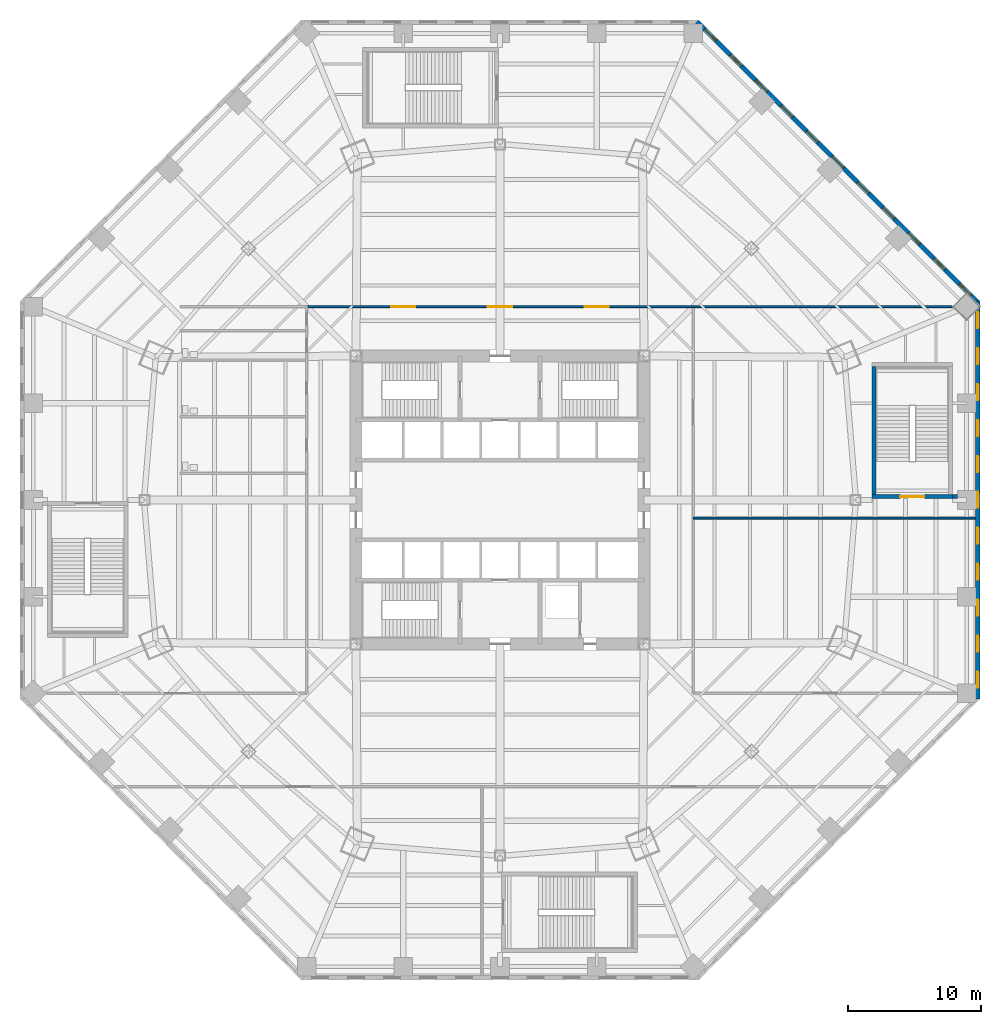
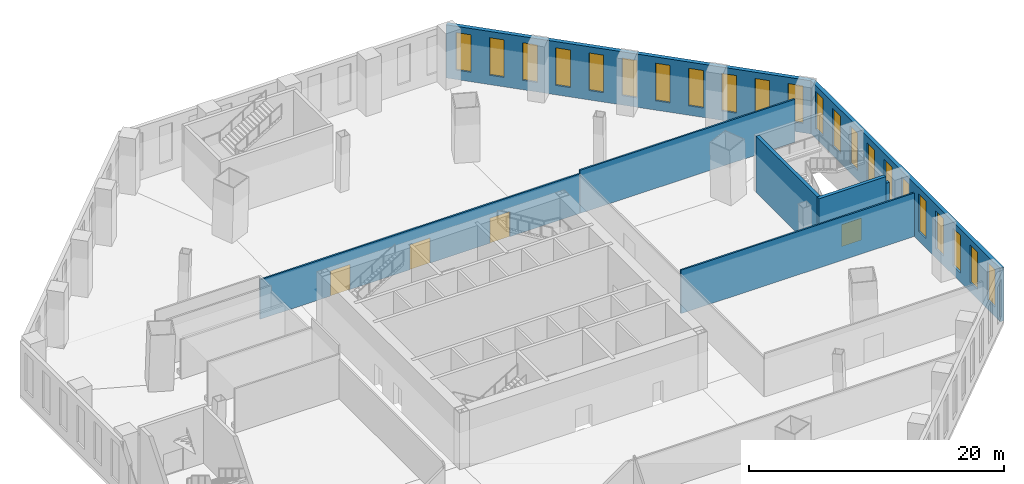
# One storey, part 12 of 18: 22 windows, 8 walls, 4 doors, 26 openings.
"""IFC4 building model written with IfcOpenShell, lengths in metres."""

from ifc_helpers import new_model, si_unit, direction, frame, frame_2d, origin, place, context, subcontext, project, spatial, rectangle, extrude, material, layer, layer_set, type_object, element, fill, save


model = new_model("IFC4")

# Units and contexts
model_context = context("Model", 3, precision=1e-05, world=origin(), true_north=direction((0.0, 1.0)))
body_context = subcontext(model_context, "Body", "Model", "MODEL_VIEW")
ifc_project = project(units=[si_unit("LENGTHUNIT", "METRE"), si_unit("AREAUNIT", "SQUARE_METRE"), si_unit("VOLUMEUNIT", "CUBIC_METRE"), si_unit("PLANEANGLEUNIT", "RADIAN"), si_unit("MASSUNIT", "GRAM", prefix="KILO")], contexts=[model_context])

# Site, building, storey
site_placement = place(None, origin())
site = spatial("IfcSite", under=ifc_project, at=site_placement, CompositionType="ELEMENT")
building_placement = place(site_placement, origin())
building = spatial("IfcBuilding", under=site, at=building_placement, Name="Mashrafa Tower", CompositionType="ELEMENT")
storey_placement = place(building_placement, frame((0.0, 0.0, 18.60009765625)))
storey = spatial("IfcBuildingStorey", under=building, at=storey_placement, Name="L03", CompositionType="ELEMENT", Elevation=18.60009765625)

# Wall, openings, doors
ifc_material_1 = material(Name="Gypsum board on steel studs", Category="steel")
ifc_layer_1 = layer(ifc_material_1, 0.14990234375)
ifc_layer_set_1 = layer_set([ifc_layer_1], Name="Corridor partition 150 1 hr")
wall_type_1 = type_object("IfcWallType", Name="Corridor partition 150 1 hr", PredefinedType="PARTITIONING", material=ifc_layer_set_1)
wall_1_placement = place(storey_placement, frame((-14.5009765625, 14.5, 0.0), z_axis=(0.0, 0.0, 1.0), x_axis=(1.0, 0.0, 0.0)))
wall_1 = element("IfcWall", 1, at=wall_1_placement, inside=storey, type_object=wall_type_1, Name="Corridor wall L03-013", PredefinedType="PARTITIONING", context=body_context, shape_type="SweptSolid", body=[
    extrude(rectangle(XDim=29.001953125, YDim=0.14990234375, at=frame_2d((14.5009765625, 0.0))), origin(), (0.0, 0.0, 1.0), 3.789794921875),
])
opening_1_placement = place(wall_1_placement, frame((6.3505859375, 0.0, 0.0)))
opening_1 = element("IfcOpeningElement", 2, at=opening_1_placement, cuts=wall_1, Name="Opening 03.006", PredefinedType="OPENING", context=body_context, shape_type="SweptSolid", body=[
    extrude(rectangle(XDim=1.800048828125, YDim=2.39990234375, at=frame_2d((0.89990234375, 1.199951171875))), frame((0.0, 0.0849609375, 0.0), z_axis=(0.0, -1.0, 0.0), x_axis=(1.0, 0.0, 0.0)), (0.0, 0.0, 1.0), 0.169921875),
])
opening_2_placement = place(wall_1_placement, frame((13.60107421875, 0.0, 0.0)))
opening_2 = element("IfcOpeningElement", 3, at=opening_2_placement, cuts=wall_1, Name="Opening 03.007", PredefinedType="OPENING", context=body_context, shape_type="SweptSolid", body=[
    extrude(rectangle(XDim=1.800048828125, YDim=2.39990234375, at=frame_2d((0.89990234375, 1.199951171875))), frame((0.0, 0.0849609375, 0.0), z_axis=(0.0, -1.0, 0.0), x_axis=(1.0, 0.0, 0.0)), (0.0, 0.0, 1.0), 0.169921875),
])
opening_3_placement = place(wall_1_placement, frame((20.8515625, 0.0, 0.0)))
opening_3 = element("IfcOpeningElement", 4, at=opening_3_placement, cuts=wall_1, Name="Opening 03.008", PredefinedType="OPENING", context=body_context, shape_type="SweptSolid", body=[
    extrude(rectangle(XDim=1.800048828125, YDim=2.39990234375, at=frame_2d((0.89990234375, 1.199951171875))), frame((0.0, 0.0849609375, 0.0), z_axis=(0.0, -1.0, 0.0), x_axis=(1.0, 0.0, 0.0)), (0.0, 0.0, 1.0), 0.169921875),
])
ifc_material_2 = material(Name="Timber door", Category="wood")
door_type_1 = type_object("IfcDoorType", Name="Door pair 1800 x 2400", OperationType="DOUBLE_DOOR_SINGLE_SWING", PredefinedType="DOOR", material=ifc_material_2)
door_1_placement = place(opening_1_placement, origin())
door_1 = element("IfcDoor", 5, at=door_1_placement, inside=storey, type_object=door_type_1, Name="Food Hall L03 door", OperationType="DOUBLE_DOOR_SINGLE_SWING", OverallHeight=2.39990234375, OverallWidth=1.800048828125, PredefinedType="DOOR", context=body_context, shape_type="SweptSolid", body=[
    extrude(rectangle(XDim=1.800048828125, YDim=2.39990234375, at=frame_2d((0.89990234375, 1.199951171875))), frame((0.0, 0.02490234375, 0.0), z_axis=(0.0, -1.0, 0.0), x_axis=(1.0, 0.0, 0.0)), (0.0, 0.0, 1.0), 0.050048828125),
])
fill(opening_1, door_1)
door_2_placement = place(opening_2_placement, origin())
door_2 = element("IfcDoor", 6, at=door_2_placement, inside=storey, type_object=door_type_1, Name="Food Hall L03 door", OperationType="DOUBLE_DOOR_SINGLE_SWING", OverallHeight=2.39990234375, OverallWidth=1.800048828125, PredefinedType="DOOR", context=body_context, shape_type="SweptSolid", body=[
    extrude(rectangle(XDim=1.800048828125, YDim=2.39990234375, at=frame_2d((0.89990234375, 1.199951171875))), frame((0.0, 0.02490234375, 0.0), z_axis=(0.0, -1.0, 0.0), x_axis=(1.0, 0.0, 0.0)), (0.0, 0.0, 1.0), 0.050048828125),
])
fill(opening_2, door_2)
door_3_placement = place(opening_3_placement, origin())
door_3 = element("IfcDoor", 7, at=door_3_placement, inside=storey, type_object=door_type_1, Name="Food Hall L03 door", OperationType="DOUBLE_DOOR_SINGLE_SWING", OverallHeight=2.39990234375, OverallWidth=1.800048828125, PredefinedType="DOOR", context=body_context, shape_type="SweptSolid", body=[
    extrude(rectangle(XDim=1.800048828125, YDim=2.39990234375, at=frame_2d((0.89990234375, 1.199951171875))), frame((0.0, 0.02490234375, 0.0), z_axis=(0.0, -1.0, 0.0), x_axis=(1.0, 0.0, 0.0)), (0.0, 0.0, 1.0), 0.050048828125),
])
fill(opening_3, door_3)

# Wall, openings, windows
ifc_material_3 = material(Name="Riyadh limestone cladding on blockwork", Category="masonry")
ifc_layer_2 = layer(ifc_material_3, 0.35009765625)
ifc_layer_set_2 = layer_set([ifc_layer_2], Name="Limestone-clad external wall 350")
wall_type_2 = type_object("IfcWallType", Name="Limestone-clad external wall 350", PredefinedType="SOLIDWALL", material=ifc_layer_set_2)
wall_2_placement = place(storey_placement, frame((35.824951171875, -14.91162109375, 0.0), z_axis=(0.0, 0.0, 1.0), x_axis=(0.0, 1.0, 0.0)))
wall_2 = element("IfcWall", 8, at=wall_2_placement, inside=storey, type_object=wall_type_2, Name="Limestone-clad external wall L03 east", PredefinedType="SOLIDWALL", context=body_context, shape_type="SweptSolid", body=[
    extrude(rectangle(XDim=29.8232421875, YDim=0.35009765625, at=frame_2d((14.91162109375, 0.0))), origin(), (0.0, 0.0, 1.0), 5.099853515625),
])
opening_4_placement = place(wall_2_placement, frame((0.821533203125, 0.0, 0.89990234375)))
opening_4 = element("IfcOpeningElement", 9, at=opening_4_placement, cuts=wall_2, Name="Opening W2", PredefinedType="OPENING", context=body_context, shape_type="SweptSolid", body=[
    extrude(rectangle(XDim=1.199951171875, YDim=3.60009765625, at=frame_2d((0.60009765625, 1.800048828125))), frame((0.0, 0.18505859375, 0.0), z_axis=(0.0, -1.0, 0.0), x_axis=(1.0, 0.0, 0.0)), (0.0, 0.0, 1.0), 0.3701171875),
])
opening_5_placement = place(wall_2_placement, frame((3.51953125, 0.0, 0.89990234375)))
opening_5 = element("IfcOpeningElement", 10, at=opening_5_placement, cuts=wall_2, Name="Opening W2", PredefinedType="OPENING", context=body_context, shape_type="SweptSolid", body=[
    extrude(rectangle(XDim=1.199951171875, YDim=3.60009765625, at=frame_2d((0.60009765625, 1.800048828125))), frame((0.0, 0.18505859375, 0.0), z_axis=(0.0, -1.0, 0.0), x_axis=(1.0, 0.0, 0.0)), (0.0, 0.0, 1.0), 0.3701171875),
])
opening_6_placement = place(wall_2_placement, frame((6.217529296875, 0.0, 0.89990234375)))
opening_6 = element("IfcOpeningElement", 11, at=opening_6_placement, cuts=wall_2, Name="Opening W2", PredefinedType="OPENING", context=body_context, shape_type="SweptSolid", body=[
    extrude(rectangle(XDim=1.199951171875, YDim=3.60009765625, at=frame_2d((0.60009765625, 1.800048828125))), frame((0.0, 0.18505859375, 0.0), z_axis=(0.0, -1.0, 0.0), x_axis=(1.0, 0.0, 0.0)), (0.0, 0.0, 1.0), 0.3701171875),
])
opening_7_placement = place(wall_2_placement, frame((8.91552734375, 0.0, 0.89990234375)))
opening_7 = element("IfcOpeningElement", 12, at=opening_7_placement, cuts=wall_2, Name="Opening W2", PredefinedType="OPENING", context=body_context, shape_type="SweptSolid", body=[
    extrude(rectangle(XDim=1.199951171875, YDim=3.60009765625, at=frame_2d((0.60009765625, 1.800048828125))), frame((0.0, 0.18505859375, 0.0), z_axis=(0.0, -1.0, 0.0), x_axis=(1.0, 0.0, 0.0)), (0.0, 0.0, 1.0), 0.3701171875),
])
opening_8_placement = place(wall_2_placement, frame((11.61376953125, 0.0, 0.89990234375)))
opening_8 = element("IfcOpeningElement", 13, at=opening_8_placement, cuts=wall_2, Name="Opening W2", PredefinedType="OPENING", context=body_context, shape_type="SweptSolid", body=[
    extrude(rectangle(XDim=1.199951171875, YDim=3.60009765625, at=frame_2d((0.60009765625, 1.800048828125))), frame((0.0, 0.18505859375, 0.0), z_axis=(0.0, -1.0, 0.0), x_axis=(1.0, 0.0, 0.0)), (0.0, 0.0, 1.0), 0.3701171875),
])
opening_9_placement = place(wall_2_placement, frame((14.311767578125, 0.0, 0.89990234375)))
opening_9 = element("IfcOpeningElement", 14, at=opening_9_placement, cuts=wall_2, Name="Opening W2", PredefinedType="OPENING", context=body_context, shape_type="SweptSolid", body=[
    extrude(rectangle(XDim=1.199951171875, YDim=3.60009765625, at=frame_2d((0.60009765625, 1.800048828125))), frame((0.0, 0.18505859375, 0.0), z_axis=(0.0, -1.0, 0.0), x_axis=(1.0, 0.0, 0.0)), (0.0, 0.0, 1.0), 0.3701171875),
])
opening_10_placement = place(wall_2_placement, frame((17.009765625, 0.0, 0.89990234375)))
opening_10 = element("IfcOpeningElement", 15, at=opening_10_placement, cuts=wall_2, Name="Opening W2", PredefinedType="OPENING", context=body_context, shape_type="SweptSolid", body=[
    extrude(rectangle(XDim=1.199951171875, YDim=3.60009765625, at=frame_2d((0.60009765625, 1.800048828125))), frame((0.0, 0.18505859375, 0.0), z_axis=(0.0, -1.0, 0.0), x_axis=(1.0, 0.0, 0.0)), (0.0, 0.0, 1.0), 0.3701171875),
])
opening_11_placement = place(wall_2_placement, frame((19.707763671875, 0.0, 0.89990234375)))
opening_11 = element("IfcOpeningElement", 16, at=opening_11_placement, cuts=wall_2, Name="Opening W2", PredefinedType="OPENING", context=body_context, shape_type="SweptSolid", body=[
    extrude(rectangle(XDim=1.199951171875, YDim=3.60009765625, at=frame_2d((0.60009765625, 1.800048828125))), frame((0.0, 0.18505859375, 0.0), z_axis=(0.0, -1.0, 0.0), x_axis=(1.0, 0.0, 0.0)), (0.0, 0.0, 1.0), 0.3701171875),
])
opening_12_placement = place(wall_2_placement, frame((22.40576171875, 0.0, 0.89990234375)))
opening_12 = element("IfcOpeningElement", 17, at=opening_12_placement, cuts=wall_2, Name="Opening W2", PredefinedType="OPENING", context=body_context, shape_type="SweptSolid", body=[
    extrude(rectangle(XDim=1.199951171875, YDim=3.60009765625, at=frame_2d((0.60009765625, 1.800048828125))), frame((0.0, 0.18505859375, 0.0), z_axis=(0.0, -1.0, 0.0), x_axis=(1.0, 0.0, 0.0)), (0.0, 0.0, 1.0), 0.3701171875),
])
opening_13_placement = place(wall_2_placement, frame((25.103759765625, 0.0, 0.89990234375)))
opening_13 = element("IfcOpeningElement", 18, at=opening_13_placement, cuts=wall_2, Name="Opening W2", PredefinedType="OPENING", context=body_context, shape_type="SweptSolid", body=[
    extrude(rectangle(XDim=1.199951171875, YDim=3.60009765625, at=frame_2d((0.60009765625, 1.800048828125))), frame((0.0, 0.18505859375, 0.0), z_axis=(0.0, -1.0, 0.0), x_axis=(1.0, 0.0, 0.0)), (0.0, 0.0, 1.0), 0.3701171875),
])
opening_14_placement = place(wall_2_placement, frame((27.8017578125, 0.0, 0.89990234375)))
opening_14 = element("IfcOpeningElement", 19, at=opening_14_placement, cuts=wall_2, Name="Opening W2", PredefinedType="OPENING", context=body_context, shape_type="SweptSolid", body=[
    extrude(rectangle(XDim=1.199951171875, YDim=3.60009765625, at=frame_2d((0.60009765625, 1.800048828125))), frame((0.0, 0.18505859375, 0.0), z_axis=(0.0, -1.0, 0.0), x_axis=(1.0, 0.0, 0.0)), (0.0, 0.0, 1.0), 0.3701171875),
])
ifc_material_4 = material(Name="Bronze-framed insulated glazing", Category="glass")
window_type = type_object("IfcWindowType", Name="Tall punched window 1200 x 3600", PartitioningType="DOUBLE_PANEL_HORIZONTAL", PredefinedType="WINDOW", material=ifc_material_4)
window_1_placement = place(opening_4_placement, origin())
window_1 = element("IfcWindow", 20, at=window_1_placement, inside=storey, type_object=window_type, Name="Window W2 L03 east bay 1", OverallHeight=3.60009765625, OverallWidth=1.199951171875, PartitioningType="SINGLE_PANEL", PredefinedType="WINDOW", context=body_context, shape_type="SweptSolid", body=[
    extrude(rectangle(XDim=1.199951171875, YDim=3.60009765625, at=frame_2d((0.60009765625, 1.800048828125))), frame((0.0, 0.030029296875, 0.0), z_axis=(0.0, -1.0, 0.0), x_axis=(1.0, 0.0, 0.0)), (0.0, 0.0, 1.0), 0.06005859375),
])
fill(opening_4, window_1)
window_2_placement = place(opening_5_placement, origin())
window_2 = element("IfcWindow", 21, at=window_2_placement, inside=storey, type_object=window_type, Name="Window W2 L03 east bay 2", OverallHeight=3.60009765625, OverallWidth=1.199951171875, PartitioningType="SINGLE_PANEL", PredefinedType="WINDOW", context=body_context, shape_type="SweptSolid", body=[
    extrude(rectangle(XDim=1.199951171875, YDim=3.60009765625, at=frame_2d((0.60009765625, 1.800048828125))), frame((0.0, 0.030029296875, 0.0), z_axis=(0.0, -1.0, 0.0), x_axis=(1.0, 0.0, 0.0)), (0.0, 0.0, 1.0), 0.06005859375),
])
fill(opening_5, window_2)
window_3_placement = place(opening_6_placement, origin())
window_3 = element("IfcWindow", 22, at=window_3_placement, inside=storey, type_object=window_type, Name="Window W2 L03 east bay 3", OverallHeight=3.60009765625, OverallWidth=1.199951171875, PartitioningType="SINGLE_PANEL", PredefinedType="WINDOW", context=body_context, shape_type="SweptSolid", body=[
    extrude(rectangle(XDim=1.199951171875, YDim=3.60009765625, at=frame_2d((0.60009765625, 1.800048828125))), frame((0.0, 0.030029296875, 0.0), z_axis=(0.0, -1.0, 0.0), x_axis=(1.0, 0.0, 0.0)), (0.0, 0.0, 1.0), 0.06005859375),
])
fill(opening_6, window_3)
window_4_placement = place(opening_7_placement, origin())
window_4 = element("IfcWindow", 23, at=window_4_placement, inside=storey, type_object=window_type, Name="Window W2 L03 east bay 4", OverallHeight=3.60009765625, OverallWidth=1.199951171875, PartitioningType="SINGLE_PANEL", PredefinedType="WINDOW", context=body_context, shape_type="SweptSolid", body=[
    extrude(rectangle(XDim=1.199951171875, YDim=3.60009765625, at=frame_2d((0.60009765625, 1.800048828125))), frame((0.0, 0.030029296875, 0.0), z_axis=(0.0, -1.0, 0.0), x_axis=(1.0, 0.0, 0.0)), (0.0, 0.0, 1.0), 0.06005859375),
])
fill(opening_7, window_4)
window_5_placement = place(opening_8_placement, origin())
window_5 = element("IfcWindow", 24, at=window_5_placement, inside=storey, type_object=window_type, Name="Window W2 L03 east bay 5", OverallHeight=3.60009765625, OverallWidth=1.199951171875, PartitioningType="SINGLE_PANEL", PredefinedType="WINDOW", context=body_context, shape_type="SweptSolid", body=[
    extrude(rectangle(XDim=1.199951171875, YDim=3.60009765625, at=frame_2d((0.60009765625, 1.800048828125))), frame((0.0, 0.030029296875, 0.0), z_axis=(0.0, -1.0, 0.0), x_axis=(1.0, 0.0, 0.0)), (0.0, 0.0, 1.0), 0.06005859375),
])
fill(opening_8, window_5)
window_6_placement = place(opening_9_placement, origin())
window_6 = element("IfcWindow", 25, at=window_6_placement, inside=storey, type_object=window_type, Name="Window W2 L03 east bay 6", OverallHeight=3.60009765625, OverallWidth=1.199951171875, PartitioningType="SINGLE_PANEL", PredefinedType="WINDOW", context=body_context, shape_type="SweptSolid", body=[
    extrude(rectangle(XDim=1.199951171875, YDim=3.60009765625, at=frame_2d((0.60009765625, 1.800048828125))), frame((0.0, 0.030029296875, 0.0), z_axis=(0.0, -1.0, 0.0), x_axis=(1.0, 0.0, 0.0)), (0.0, 0.0, 1.0), 0.06005859375),
])
fill(opening_9, window_6)
window_7_placement = place(opening_10_placement, origin())
window_7 = element("IfcWindow", 26, at=window_7_placement, inside=storey, type_object=window_type, Name="Window W2 L03 east bay 7", OverallHeight=3.60009765625, OverallWidth=1.199951171875, PartitioningType="SINGLE_PANEL", PredefinedType="WINDOW", context=body_context, shape_type="SweptSolid", body=[
    extrude(rectangle(XDim=1.199951171875, YDim=3.60009765625, at=frame_2d((0.60009765625, 1.800048828125))), frame((0.0, 0.030029296875, 0.0), z_axis=(0.0, -1.0, 0.0), x_axis=(1.0, 0.0, 0.0)), (0.0, 0.0, 1.0), 0.06005859375),
])
fill(opening_10, window_7)
window_8_placement = place(opening_11_placement, origin())
window_8 = element("IfcWindow", 27, at=window_8_placement, inside=storey, type_object=window_type, Name="Window W2 L03 east bay 8", OverallHeight=3.60009765625, OverallWidth=1.199951171875, PartitioningType="SINGLE_PANEL", PredefinedType="WINDOW", context=body_context, shape_type="SweptSolid", body=[
    extrude(rectangle(XDim=1.199951171875, YDim=3.60009765625, at=frame_2d((0.60009765625, 1.800048828125))), frame((0.0, 0.030029296875, 0.0), z_axis=(0.0, -1.0, 0.0), x_axis=(1.0, 0.0, 0.0)), (0.0, 0.0, 1.0), 0.06005859375),
])
fill(opening_11, window_8)
window_9_placement = place(opening_12_placement, origin())
window_9 = element("IfcWindow", 28, at=window_9_placement, inside=storey, type_object=window_type, Name="Window W2 L03 east bay 9", OverallHeight=3.60009765625, OverallWidth=1.199951171875, PartitioningType="SINGLE_PANEL", PredefinedType="WINDOW", context=body_context, shape_type="SweptSolid", body=[
    extrude(rectangle(XDim=1.199951171875, YDim=3.60009765625, at=frame_2d((0.60009765625, 1.800048828125))), frame((0.0, 0.030029296875, 0.0), z_axis=(0.0, -1.0, 0.0), x_axis=(1.0, 0.0, 0.0)), (0.0, 0.0, 1.0), 0.06005859375),
])
fill(opening_12, window_9)
window_10_placement = place(opening_13_placement, origin())
window_10 = element("IfcWindow", 29, at=window_10_placement, inside=storey, type_object=window_type, Name="Window W2 L03 east bay 10", OverallHeight=3.60009765625, OverallWidth=1.199951171875, PartitioningType="SINGLE_PANEL", PredefinedType="WINDOW", context=body_context, shape_type="SweptSolid", body=[
    extrude(rectangle(XDim=1.199951171875, YDim=3.60009765625, at=frame_2d((0.60009765625, 1.800048828125))), frame((0.0, 0.030029296875, 0.0), z_axis=(0.0, -1.0, 0.0), x_axis=(1.0, 0.0, 0.0)), (0.0, 0.0, 1.0), 0.06005859375),
])
fill(opening_13, window_10)
window_11_placement = place(opening_14_placement, origin())
window_11 = element("IfcWindow", 30, at=window_11_placement, inside=storey, type_object=window_type, Name="Window W2 L03 east bay 11", OverallHeight=3.60009765625, OverallWidth=1.199951171875, PartitioningType="SINGLE_PANEL", PredefinedType="WINDOW", context=body_context, shape_type="SweptSolid", body=[
    extrude(rectangle(XDim=1.199951171875, YDim=3.60009765625, at=frame_2d((0.60009765625, 1.800048828125))), frame((0.0, 0.030029296875, 0.0), z_axis=(0.0, -1.0, 0.0), x_axis=(1.0, 0.0, 0.0)), (0.0, 0.0, 1.0), 0.06005859375),
])
fill(opening_14, window_11)

wall_3_placement = place(storey_placement, frame((35.876220703125, 14.787841796875, 0.0), z_axis=(0.0, 0.0, 1.0), x_axis=(-0.707106781187, 0.707106781187, 0.0)))
wall_3 = element("IfcWall", 31, at=wall_3_placement, inside=storey, type_object=wall_type_2, Name="Limestone-clad external wall L03 north-east", PredefinedType="SOLIDWALL", context=body_context, shape_type="SweptSolid", body=[
    extrude(rectangle(XDim=29.823486328125, YDim=0.35009765625, at=frame_2d((14.91162109375, 0.0))), origin(), (0.0, 0.0, 1.0), 5.099853515625),
])
opening_15_placement = place(wall_3_placement, frame((0.821533203125, 0.0, 0.89990234375)))
opening_15 = element("IfcOpeningElement", 32, at=opening_15_placement, cuts=wall_3, Name="Opening W2", PredefinedType="OPENING", context=body_context, shape_type="SweptSolid", body=[
    extrude(rectangle(XDim=1.199951171875, YDim=3.60009765625, at=frame_2d((0.60009765625, 1.800048828125))), frame((0.0, 0.18505859375, 0.0), z_axis=(0.0, -1.0, 0.0), x_axis=(1.0, 0.0, 0.0)), (0.0, 0.0, 1.0), 0.3701171875),
])
opening_16_placement = place(wall_3_placement, frame((3.51953125, 0.0, 0.89990234375)))
opening_16 = element("IfcOpeningElement", 33, at=opening_16_placement, cuts=wall_3, Name="Opening W2", PredefinedType="OPENING", context=body_context, shape_type="SweptSolid", body=[
    extrude(rectangle(XDim=1.199951171875, YDim=3.60009765625, at=frame_2d((0.60009765625, 1.800048828125))), frame((0.0, 0.18505859375, 0.0), z_axis=(0.0, -1.0, 0.0), x_axis=(1.0, 0.0, 0.0)), (0.0, 0.0, 1.0), 0.3701171875),
])
opening_17_placement = place(wall_3_placement, frame((6.217529296875, 0.0, 0.89990234375)))
opening_17 = element("IfcOpeningElement", 34, at=opening_17_placement, cuts=wall_3, Name="Opening W2", PredefinedType="OPENING", context=body_context, shape_type="SweptSolid", body=[
    extrude(rectangle(XDim=1.199951171875, YDim=3.60009765625, at=frame_2d((0.60009765625, 1.800048828125))), frame((0.0, 0.18505859375, 0.0), z_axis=(0.0, -1.0, 0.0), x_axis=(1.0, 0.0, 0.0)), (0.0, 0.0, 1.0), 0.3701171875),
])
opening_18_placement = place(wall_3_placement, frame((8.91552734375, 0.0, 0.89990234375)))
opening_18 = element("IfcOpeningElement", 35, at=opening_18_placement, cuts=wall_3, Name="Opening W2", PredefinedType="OPENING", context=body_context, shape_type="SweptSolid", body=[
    extrude(rectangle(XDim=1.199951171875, YDim=3.60009765625, at=frame_2d((0.60009765625, 1.800048828125))), frame((0.0, 0.18505859375, 0.0), z_axis=(0.0, -1.0, 0.0), x_axis=(1.0, 0.0, 0.0)), (0.0, 0.0, 1.0), 0.3701171875),
])
opening_19_placement = place(wall_3_placement, frame((11.61376953125, 0.0, 0.89990234375)))
opening_19 = element("IfcOpeningElement", 36, at=opening_19_placement, cuts=wall_3, Name="Opening W2", PredefinedType="OPENING", context=body_context, shape_type="SweptSolid", body=[
    extrude(rectangle(XDim=1.199951171875, YDim=3.60009765625, at=frame_2d((0.60009765625, 1.800048828125))), frame((0.0, 0.18505859375, 0.0), z_axis=(0.0, -1.0, 0.0), x_axis=(1.0, 0.0, 0.0)), (0.0, 0.0, 1.0), 0.3701171875),
])
opening_20_placement = place(wall_3_placement, frame((14.311767578125, 0.0, 0.89990234375)))
opening_20 = element("IfcOpeningElement", 37, at=opening_20_placement, cuts=wall_3, Name="Opening W2", PredefinedType="OPENING", context=body_context, shape_type="SweptSolid", body=[
    extrude(rectangle(XDim=1.199951171875, YDim=3.60009765625, at=frame_2d((0.60009765625, 1.800048828125))), frame((0.0, 0.18505859375, 0.0), z_axis=(0.0, -1.0, 0.0), x_axis=(1.0, 0.0, 0.0)), (0.0, 0.0, 1.0), 0.3701171875),
])
opening_21_placement = place(wall_3_placement, frame((17.009765625, 0.0, 0.89990234375)))
opening_21 = element("IfcOpeningElement", 38, at=opening_21_placement, cuts=wall_3, Name="Opening W2", PredefinedType="OPENING", context=body_context, shape_type="SweptSolid", body=[
    extrude(rectangle(XDim=1.199951171875, YDim=3.60009765625, at=frame_2d((0.60009765625, 1.800048828125))), frame((0.0, 0.18505859375, 0.0), z_axis=(0.0, -1.0, 0.0), x_axis=(1.0, 0.0, 0.0)), (0.0, 0.0, 1.0), 0.3701171875),
])
opening_22_placement = place(wall_3_placement, frame((19.707763671875, 0.0, 0.89990234375)))
opening_22 = element("IfcOpeningElement", 39, at=opening_22_placement, cuts=wall_3, Name="Opening W2", PredefinedType="OPENING", context=body_context, shape_type="SweptSolid", body=[
    extrude(rectangle(XDim=1.199951171875, YDim=3.60009765625, at=frame_2d((0.60009765625, 1.800048828125))), frame((0.0, 0.18505859375, 0.0), z_axis=(0.0, -1.0, 0.0), x_axis=(1.0, 0.0, 0.0)), (0.0, 0.0, 1.0), 0.3701171875),
])
opening_23_placement = place(wall_3_placement, frame((22.40576171875, 0.0, 0.89990234375)))
opening_23 = element("IfcOpeningElement", 40, at=opening_23_placement, cuts=wall_3, Name="Opening W2", PredefinedType="OPENING", context=body_context, shape_type="SweptSolid", body=[
    extrude(rectangle(XDim=1.199951171875, YDim=3.60009765625, at=frame_2d((0.60009765625, 1.800048828125))), frame((0.0, 0.18505859375, 0.0), z_axis=(0.0, -1.0, 0.0), x_axis=(1.0, 0.0, 0.0)), (0.0, 0.0, 1.0), 0.3701171875),
])
opening_24_placement = place(wall_3_placement, frame((25.103759765625, 0.0, 0.89990234375)))
opening_24 = element("IfcOpeningElement", 41, at=opening_24_placement, cuts=wall_3, Name="Opening W2", PredefinedType="OPENING", context=body_context, shape_type="SweptSolid", body=[
    extrude(rectangle(XDim=1.199951171875, YDim=3.60009765625, at=frame_2d((0.60009765625, 1.800048828125))), frame((0.0, 0.18505859375, 0.0), z_axis=(0.0, -1.0, 0.0), x_axis=(1.0, 0.0, 0.0)), (0.0, 0.0, 1.0), 0.3701171875),
])
opening_25_placement = place(wall_3_placement, frame((27.8017578125, 0.0, 0.89990234375)))
opening_25 = element("IfcOpeningElement", 42, at=opening_25_placement, cuts=wall_3, Name="Opening W2", PredefinedType="OPENING", context=body_context, shape_type="SweptSolid", body=[
    extrude(rectangle(XDim=1.199951171875, YDim=3.60009765625, at=frame_2d((0.60009765625, 1.800048828125))), frame((0.0, 0.18505859375, 0.0), z_axis=(0.0, -1.0, 0.0), x_axis=(1.0, 0.0, 0.0)), (0.0, 0.0, 1.0), 0.3701171875),
])
window_12_placement = place(opening_15_placement, origin())
window_12 = element("IfcWindow", 43, at=window_12_placement, inside=storey, type_object=window_type, Name="Window W2 L03 north-east bay 1", OverallHeight=3.60009765625, OverallWidth=1.199951171875, PartitioningType="SINGLE_PANEL", PredefinedType="WINDOW", context=body_context, shape_type="SweptSolid", body=[
    extrude(rectangle(XDim=1.199951171875, YDim=3.60009765625, at=frame_2d((0.60009765625, 1.800048828125))), frame((0.0, 0.030029296875, 0.0), z_axis=(0.0, -1.0, 0.0), x_axis=(1.0, 0.0, 0.0)), (0.0, 0.0, 1.0), 0.06005859375),
])
fill(opening_15, window_12)
window_13_placement = place(opening_16_placement, origin())
window_13 = element("IfcWindow", 44, at=window_13_placement, inside=storey, type_object=window_type, Name="Window W2 L03 north-east bay 2", OverallHeight=3.60009765625, OverallWidth=1.199951171875, PartitioningType="SINGLE_PANEL", PredefinedType="WINDOW", context=body_context, shape_type="SweptSolid", body=[
    extrude(rectangle(XDim=1.199951171875, YDim=3.60009765625, at=frame_2d((0.60009765625, 1.800048828125))), frame((0.0, 0.030029296875, 0.0), z_axis=(0.0, -1.0, 0.0), x_axis=(1.0, 0.0, 0.0)), (0.0, 0.0, 1.0), 0.06005859375),
])
fill(opening_16, window_13)
window_14_placement = place(opening_17_placement, origin())
window_14 = element("IfcWindow", 45, at=window_14_placement, inside=storey, type_object=window_type, Name="Window W2 L03 north-east bay 3", OverallHeight=3.60009765625, OverallWidth=1.199951171875, PartitioningType="SINGLE_PANEL", PredefinedType="WINDOW", context=body_context, shape_type="SweptSolid", body=[
    extrude(rectangle(XDim=1.199951171875, YDim=3.60009765625, at=frame_2d((0.60009765625, 1.800048828125))), frame((0.0, 0.030029296875, 0.0), z_axis=(0.0, -1.0, 0.0), x_axis=(1.0, 0.0, 0.0)), (0.0, 0.0, 1.0), 0.06005859375),
])
fill(opening_17, window_14)
window_15_placement = place(opening_18_placement, origin())
window_15 = element("IfcWindow", 46, at=window_15_placement, inside=storey, type_object=window_type, Name="Window W2 L03 north-east bay 4", OverallHeight=3.60009765625, OverallWidth=1.199951171875, PartitioningType="SINGLE_PANEL", PredefinedType="WINDOW", context=body_context, shape_type="SweptSolid", body=[
    extrude(rectangle(XDim=1.199951171875, YDim=3.60009765625, at=frame_2d((0.60009765625, 1.800048828125))), frame((0.0, 0.030029296875, 0.0), z_axis=(0.0, -1.0, 0.0), x_axis=(1.0, 0.0, 0.0)), (0.0, 0.0, 1.0), 0.06005859375),
])
fill(opening_18, window_15)
window_16_placement = place(opening_19_placement, origin())
window_16 = element("IfcWindow", 47, at=window_16_placement, inside=storey, type_object=window_type, Name="Window W2 L03 north-east bay 5", OverallHeight=3.60009765625, OverallWidth=1.199951171875, PartitioningType="SINGLE_PANEL", PredefinedType="WINDOW", context=body_context, shape_type="SweptSolid", body=[
    extrude(rectangle(XDim=1.199951171875, YDim=3.60009765625, at=frame_2d((0.60009765625, 1.800048828125))), frame((0.0, 0.030029296875, 0.0), z_axis=(0.0, -1.0, 0.0), x_axis=(1.0, 0.0, 0.0)), (0.0, 0.0, 1.0), 0.06005859375),
])
fill(opening_19, window_16)
window_17_placement = place(opening_20_placement, origin())
window_17 = element("IfcWindow", 48, at=window_17_placement, inside=storey, type_object=window_type, Name="Window W2 L03 north-east bay 6", OverallHeight=3.60009765625, OverallWidth=1.199951171875, PartitioningType="SINGLE_PANEL", PredefinedType="WINDOW", context=body_context, shape_type="SweptSolid", body=[
    extrude(rectangle(XDim=1.199951171875, YDim=3.60009765625, at=frame_2d((0.60009765625, 1.800048828125))), frame((0.0, 0.030029296875, 0.0), z_axis=(0.0, -1.0, 0.0), x_axis=(1.0, 0.0, 0.0)), (0.0, 0.0, 1.0), 0.06005859375),
])
fill(opening_20, window_17)
window_18_placement = place(opening_21_placement, origin())
window_18 = element("IfcWindow", 49, at=window_18_placement, inside=storey, type_object=window_type, Name="Window W2 L03 north-east bay 7", OverallHeight=3.60009765625, OverallWidth=1.199951171875, PartitioningType="SINGLE_PANEL", PredefinedType="WINDOW", context=body_context, shape_type="SweptSolid", body=[
    extrude(rectangle(XDim=1.199951171875, YDim=3.60009765625, at=frame_2d((0.60009765625, 1.800048828125))), frame((0.0, 0.030029296875, 0.0), z_axis=(0.0, -1.0, 0.0), x_axis=(1.0, 0.0, 0.0)), (0.0, 0.0, 1.0), 0.06005859375),
])
fill(opening_21, window_18)
window_19_placement = place(opening_22_placement, origin())
window_19 = element("IfcWindow", 50, at=window_19_placement, inside=storey, type_object=window_type, Name="Window W2 L03 north-east bay 8", OverallHeight=3.60009765625, OverallWidth=1.199951171875, PartitioningType="SINGLE_PANEL", PredefinedType="WINDOW", context=body_context, shape_type="SweptSolid", body=[
    extrude(rectangle(XDim=1.199951171875, YDim=3.60009765625, at=frame_2d((0.60009765625, 1.800048828125))), frame((0.0, 0.030029296875, 0.0), z_axis=(0.0, -1.0, 0.0), x_axis=(1.0, 0.0, 0.0)), (0.0, 0.0, 1.0), 0.06005859375),
])
fill(opening_22, window_19)
window_20_placement = place(opening_23_placement, origin())
window_20 = element("IfcWindow", 51, at=window_20_placement, inside=storey, type_object=window_type, Name="Window W2 L03 north-east bay 9", OverallHeight=3.60009765625, OverallWidth=1.199951171875, PartitioningType="SINGLE_PANEL", PredefinedType="WINDOW", context=body_context, shape_type="SweptSolid", body=[
    extrude(rectangle(XDim=1.199951171875, YDim=3.60009765625, at=frame_2d((0.60009765625, 1.800048828125))), frame((0.0, 0.030029296875, 0.0), z_axis=(0.0, -1.0, 0.0), x_axis=(1.0, 0.0, 0.0)), (0.0, 0.0, 1.0), 0.06005859375),
])
fill(opening_23, window_20)
window_21_placement = place(opening_24_placement, origin())
window_21 = element("IfcWindow", 52, at=window_21_placement, inside=storey, type_object=window_type, Name="Window W2 L03 north-east bay 10", OverallHeight=3.60009765625, OverallWidth=1.199951171875, PartitioningType="SINGLE_PANEL", PredefinedType="WINDOW", context=body_context, shape_type="SweptSolid", body=[
    extrude(rectangle(XDim=1.199951171875, YDim=3.60009765625, at=frame_2d((0.60009765625, 1.800048828125))), frame((0.0, 0.030029296875, 0.0), z_axis=(0.0, -1.0, 0.0), x_axis=(1.0, 0.0, 0.0)), (0.0, 0.0, 1.0), 0.06005859375),
])
fill(opening_24, window_21)
window_22_placement = place(opening_25_placement, origin())
window_22 = element("IfcWindow", 53, at=window_22_placement, inside=storey, type_object=window_type, Name="Window W2 L03 north-east bay 11", OverallHeight=3.60009765625, OverallWidth=1.199951171875, PartitioningType="SINGLE_PANEL", PredefinedType="WINDOW", context=body_context, shape_type="SweptSolid", body=[
    extrude(rectangle(XDim=1.199951171875, YDim=3.60009765625, at=frame_2d((0.60009765625, 1.800048828125))), frame((0.0, 0.030029296875, 0.0), z_axis=(0.0, -1.0, 0.0), x_axis=(1.0, 0.0, 0.0)), (0.0, 0.0, 1.0), 0.06005859375),
])
fill(opening_25, window_22)

# Walls
ifc_material_5 = material(Name="Gypsum board on steel studs", Category="steel")
ifc_layer_3 = layer(ifc_material_5, 0.14990234375)
ifc_layer_set_3 = layer_set([ifc_layer_3], Name="Partition 150")
wall_type_3 = type_object("IfcWallType", Name="Partition 150", PredefinedType="PARTITIONING", material=ifc_layer_set_3)
wall_4_placement = place(storey_placement, frame((14.4990234375, 14.5, 0.0), z_axis=(0.0, 0.0, 1.0), x_axis=(1.0, 0.0, 0.0)))
element("IfcWall", 54, at=wall_4_placement, inside=storey, type_object=wall_type_3, Name="Partition wall L03-012", PredefinedType="PARTITIONING", context=body_context, shape_type="SweptSolid", body=[
    extrude(rectangle(XDim=19.486572265625, YDim=0.14990234375, at=frame_2d((9.7431640625, 0.0))), origin(), (0.0, 0.0, 1.0), 4.1298828125),
])
wall_5_placement = place(storey_placement, frame((14.5, -1.35009765625, 0.0), z_axis=(0.0, 0.0, 1.0), x_axis=(1.0, 0.0, 0.0)))
element("IfcWall", 55, at=wall_5_placement, inside=storey, type_object=wall_type_3, Name="Partition wall L03-014", PredefinedType="PARTITIONING", context=body_context, shape_type="SweptSolid", body=[
    extrude(rectangle(XDim=21.14990234375, YDim=0.14990234375, at=frame_2d((10.574951171875, 0.0))), origin(), (0.0, 0.0, 1.0), 4.162841796875),
])

# Wall, opening, door
ifc_material_6 = material(Name="Concrete C35/45", Category="concrete")
ifc_layer_4 = layer(ifc_material_6, 0.300048828125)
ifc_layer_set_4 = layer_set([ifc_layer_4], Name="Stair core wall 300 3 hr")
wall_type_4 = type_object("IfcWallType", Name="Stair core wall 300 3 hr", PredefinedType="SOLIDWALL", material=ifc_layer_set_4)
wall_6_placement = place(storey_placement, frame((27.89990234375, 0.25, 0.0), z_axis=(0.0, 0.0, 1.0), x_axis=(1.0, 0.0, 0.0)))
wall_6 = element("IfcWall", 56, at=wall_6_placement, inside=storey, type_object=wall_type_4, Name="Stair P1 core wall S L03", PredefinedType="SOLIDWALL", context=body_context, shape_type="SweptSolid", body=[
    extrude(rectangle(XDim=6.050048828125, YDim=0.300048828125, at=frame_2d((3.02490234375, 0.0))), origin(), (0.0, 0.0, 1.0), 5.39990234375),
])
opening_26_placement = place(wall_6_placement, frame((2.125, 0.0, 0.0)))
opening_26 = element("IfcOpeningElement", 57, at=opening_26_placement, cuts=wall_6, Name="Opening 03.024", PredefinedType="OPENING", context=body_context, shape_type="SweptSolid", body=[
    extrude(rectangle(XDim=1.800048828125, YDim=2.10009765625, at=frame_2d((0.89990234375, 1.050048828125))), frame((0.0, 0.159912109375, 0.0), z_axis=(0.0, -1.0, 0.0), x_axis=(1.0, 0.0, 0.0)), (0.0, 0.0, 1.0), 0.320068359375),
])
ifc_material_7 = material(Name="Steel door", Category="steel")
door_type_2 = type_object("IfcDoorType", Name="Stair door pair 1800 x 2100 90 min", OperationType="DOUBLE_DOOR_SINGLE_SWING", PredefinedType="DOOR", material=ifc_material_7)
door_4_placement = place(opening_26_placement, origin())
door_4 = element("IfcDoor", 58, at=door_4_placement, inside=storey, type_object=door_type_2, Name="Stair P1 door L03", OperationType="DOUBLE_DOOR_SINGLE_SWING", OverallHeight=2.10009765625, OverallWidth=1.800048828125, PredefinedType="DOOR", context=body_context, shape_type="SweptSolid", body=[
    extrude(rectangle(XDim=1.800048828125, YDim=2.10009765625, at=frame_2d((0.89990234375, 1.050048828125))), frame((0.0, 0.02490234375, 0.0), z_axis=(0.0, -1.0, 0.0), x_axis=(1.0, 0.0, 0.0)), (0.0, 0.0, 1.0), 0.050048828125),
])
fill(opening_26, door_4)

# Walls
wall_7_placement = place(storey_placement, frame((33.949951171875, 0.25, 0.0), z_axis=(0.0, 0.0, 1.0), x_axis=(1.0, 0.0, 0.0)))
element("IfcWall", 59, at=wall_7_placement, inside=storey, type_object=wall_type_4, Name="Stair P1 core wall S L03 end piece 2", PredefinedType="SOLIDWALL", context=body_context, shape_type="SweptSolid", body=[
    extrude(rectangle(XDim=0.35009765625, YDim=0.300048828125, at=frame_2d((0.175048828125, 0.0))), origin(), (0.0, 0.0, 1.0), 4.744384765625),
])
wall_8_placement = place(storey_placement, frame((28.050048828125, 10.0, 0.0), z_axis=(0.0, 0.0, 1.0), x_axis=(0.0, -1.0, 0.0)))
element("IfcWall", 60, at=wall_8_placement, inside=storey, type_object=wall_type_4, Name="Stair P1 core wall W L03", PredefinedType="SOLIDWALL", context=body_context, shape_type="SweptSolid", body=[
    extrude(rectangle(XDim=9.60009765625, YDim=0.300048828125, at=frame_2d((4.800048828125, 0.0))), origin(), (0.0, 0.0, 1.0), 5.39990234375),
])

save(model, "model.ifc")
